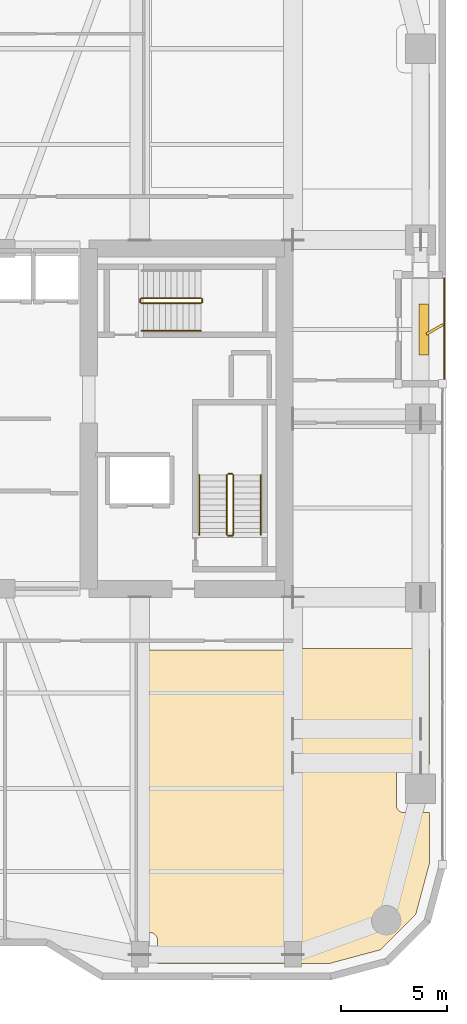
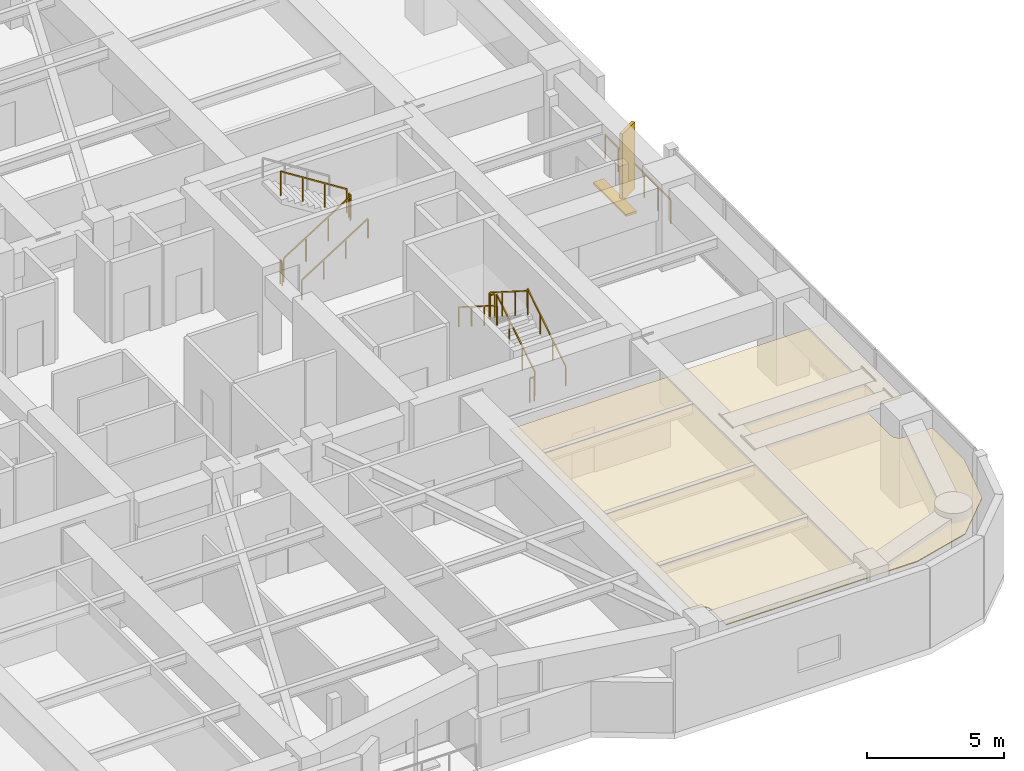
# One storey, part 24 of 25: 12 railings, 2 shading devices, 1 covering.
"""IFC4 building model written with IfcOpenShell, lengths in metres."""

from ifc_helpers import new_model, si_unit, direction, frame, origin, origin_2d, place, context, subcontext, project, spatial, polyline, rectangle, outline, extrude, material, layer, layer_set, type_object, element, save


model = new_model("IFC4")

# Units and contexts
model_context = context("Model", 3, precision=1e-05, world=origin(), true_north=direction((0.0, 1.0)))
body_context = subcontext(model_context, "Body", "Model", "MODEL_VIEW")
ifc_project = project(units=[si_unit("LENGTHUNIT", "METRE"), si_unit("AREAUNIT", "SQUARE_METRE"), si_unit("VOLUMEUNIT", "CUBIC_METRE"), si_unit("PLANEANGLEUNIT", "RADIAN"), si_unit("MASSUNIT", "GRAM", prefix="KILO")], contexts=[model_context])

# Site, building, storey
site_placement = place(None, origin())
site = spatial("IfcSite", under=ifc_project, at=site_placement, CompositionType="ELEMENT")
building_placement = place(site_placement, origin())
building = spatial("IfcBuilding", under=site, at=building_placement, Name="Kiyonajd Concourse Tower", CompositionType="ELEMENT")
storey_placement = place(building_placement, frame((0.0, 0.0, 141.60009765625)))
storey = spatial("IfcBuildingStorey", under=building, at=storey_placement, Name="L36", CompositionType="ELEMENT", Elevation=141.60009765625)

# Covering
ifc_material_1 = material(Name="Natural Oak Acoustic Timber Veneer", Category="wood")
ifc_layer = layer(ifc_material_1, 0.0400390625)
ifc_layer_set = layer_set([ifc_layer], Name="Natural Oak Acoustic Timber Veneer")
covering_type = type_object("IfcCoveringType", Name="CV-CLG-ACST", PredefinedType="CEILING", material=ifc_layer_set)
covering_placement = place(storey_placement, frame((0.0, 0.0, 3.419921875)))
element("IfcCovering", 1, at=covering_placement, inside=storey, type_object=covering_type, Name="L36-43 Room Acoustic Ceiling", PredefinedType="CEILING", context=body_context, shape_type="SweptSolid", body=[
    extrude(outline(polyline([(57.22998046875, 10.3701171875), (57.22998046875, 11.47998046875), (57.222900390625, 11.548095703125), (57.202880859375, 11.614013671875), (57.1708984375, 11.674072265625), (57.126953125, 11.72705078125), (57.073974609375, 11.77099609375), (57.013916015625, 11.802978515625), (56.9140625, 11.827880859375), (56.60009765625, 11.830078125), (56.60009765625, 25.1201171875), (63.60009765625, 25.1201171875), (63.72998046875, 25.139892578125), (63.79296875, 25.166015625), (63.847900390625, 25.199951171875), (70.030029296875, 25.199951171875), (70.030029296875, 19.72998046875), (68.820068359375, 19.72998046875), (68.751953125, 19.722900390625), (68.655029296875, 19.68896484375), (68.572998046875, 19.626953125), (68.510986328125, 19.544921875), (68.485107421875, 19.48193359375), (68.471923828125, 19.4140625), (68.469970703125, 17.820068359375), (68.485107421875, 17.718017578125), (68.510986328125, 17.655029296875), (68.549072265625, 17.597900390625), (68.597900390625, 17.549072265625), (68.655029296875, 17.510986328125), (68.718017578125, 17.485107421875), (68.785888671875, 17.471923828125), (70.030029296875, 17.469970703125), (70.030029296875, 15.10107421875), (69.385986328125, 12.697998046875), (67.701904296875, 11.013916015625), (65.299072265625, 10.3701171875), (57.22998046875, 10.3701171875)])), origin(), (0.0, 0.0, 1.0), 0.0400390625),
])

# Railings
ifc_material_2 = material(Name="Thermally Broken Anodised Aluminium", Category="aluminium")
railing_type_1 = type_object("IfcRailingType", Name="RL-GRD-LOG", PredefinedType="GUARDRAIL", material=ifc_material_2)
railing_1_placement = place(storey_placement, frame((70.719970703125, 37.800048828125, 0.0)))
element("IfcRailing", 2, at=railing_1_placement, inside=storey, type_object=railing_type_1, Name="L36 Engawa Loggia Perimeter Guard LOG-E", PredefinedType="GUARDRAIL", context=body_context, shape_type="SweptSolid", body=[
    extrude(rectangle(XDim=0.048095703125, YDim=0.048095703125, at=origin_2d()), frame((0.0, 0.0, 1.076171875), z_axis=(0.0, 1.0, 0.0), x_axis=(-1.0, 0.0, 0.0)), (0.0, 0.0, 1.0), 4.800048828125),
    extrude(rectangle(XDim=0.0419921875, YDim=0.0419921875, at=origin_2d()), origin(), (0.0, 0.0, 1.0), 1.052001953125),
    extrude(rectangle(XDim=0.0419921875, YDim=0.0419921875, at=origin_2d()), frame((0.0, 0.9599609375, 0.0)), (0.0, 0.0, 1.0), 1.052001953125),
    extrude(rectangle(XDim=0.0419921875, YDim=0.0419921875, at=origin_2d()), frame((0.0, 1.919921875, 0.0)), (0.0, 0.0, 1.0), 1.052001953125),
    extrude(rectangle(XDim=0.0419921875, YDim=0.0419921875, at=origin_2d()), frame((0.0, 2.880126953125, 0.0)), (0.0, 0.0, 1.0), 1.052001953125),
    extrude(rectangle(XDim=0.0419921875, YDim=0.0419921875, at=origin_2d()), frame((0.0, 3.840087890625, 0.0)), (0.0, 0.0, 1.0), 1.052001953125),
    extrude(rectangle(XDim=0.0419921875, YDim=0.0419921875, at=origin_2d()), frame((0.0, 4.800048828125, 0.0)), (0.0, 0.0, 1.0), 1.052001953125),
])
ifc_material_3 = material(Name="Steel ASTM A500 Grade C", Category="steel")
railing_type_2 = type_object("IfcRailingType", Name="RL-GRD-STR", PredefinedType="GUARDRAIL", material=ifc_material_3)
railing_2_placement = place(storey_placement, frame((60.800048828125, 30.550048828125, 0.17724609375)))
element("IfcRailing", 3, at=railing_2_placement, inside=storey, type_object=railing_type_2, Name="L36 ST2 stair guard 1", PredefinedType="GUARDRAIL", context=body_context, shape_type="SweptSolid", body=[
    extrude(rectangle(XDim=0.048095703125, YDim=0.048095703125, at=origin_2d()), frame((0.0, 0.0, 1.076171875), z_axis=(0.0, 0.844908973607, 0.534910110503), x_axis=(-1.0, 0.0, 0.0)), (0.0, 0.0, 1.0), 3.31396484375),
    extrude(rectangle(XDim=0.0419921875, YDim=0.0419921875, at=origin_2d()), origin(), (0.0, 0.0, 1.0), 1.052001953125),
    extrude(rectangle(XDim=0.0419921875, YDim=0.0419921875, at=origin_2d()), frame((0.0, 0.933349609375, 0.5908203125)), (0.0, 0.0, 1.0), 1.052001953125),
    extrude(rectangle(XDim=0.0419921875, YDim=0.0419921875, at=origin_2d()), frame((0.0, 1.86669921875, 1.181884765625)), (0.0, 0.0, 1.0), 1.052001953125),
    extrude(rectangle(XDim=0.0419921875, YDim=0.0419921875, at=origin_2d()), frame((0.0, 2.800048828125, 1.772705078125)), (0.0, 0.0, 1.0), 1.052001953125),
])
railing_3_placement = place(storey_placement, frame((60.75, 33.39990234375, 1.949951171875)))
element("IfcRailing", 4, at=railing_3_placement, inside=storey, type_object=railing_type_2, Name="L36 ST2 stair guard 2", PredefinedType="GUARDRAIL", context=body_context, shape_type="SweptSolid", body=[
    extrude(rectangle(XDim=0.048095703125, YDim=0.048095703125, at=origin_2d()), frame((0.0, 0.0, 1.076171875), z_axis=(-1.0, 0.0, 0.0), x_axis=(0.0, -1.0, 0.0)), (0.0, 0.0, 1.0), 0.199951171875),
    extrude(rectangle(XDim=0.0419921875, YDim=0.0419921875, at=origin_2d()), origin(), (0.0, 0.0, 1.0), 1.052001953125),
    extrude(rectangle(XDim=0.0419921875, YDim=0.0419921875, at=origin_2d()), frame((-0.199951171875, 0.0, 0.0)), (0.0, 0.0, 1.0), 1.052001953125),
])
railing_4_placement = place(storey_placement, frame((60.5, 33.35009765625, 2.127197265625)))
element("IfcRailing", 5, at=railing_4_placement, inside=storey, type_object=railing_type_2, Name="L36 ST2 stair guard 3", PredefinedType="GUARDRAIL", context=body_context, shape_type="SweptSolid", body=[
    extrude(rectangle(XDim=0.048095703125, YDim=0.048095703125, at=origin_2d()), frame((0.0, 0.0, 1.076171875), z_axis=(0.0, -0.844908973607, 0.534910110503), x_axis=(1.0, 0.0, 0.0)), (0.0, 0.0, 1.0), 3.31396484375),
    extrude(rectangle(XDim=0.0419921875, YDim=0.0419921875, at=origin_2d()), origin(), (0.0, 0.0, 1.0), 1.052001953125),
    extrude(rectangle(XDim=0.0419921875, YDim=0.0419921875, at=origin_2d()), frame((0.0, -0.933349609375, 0.5908203125)), (0.0, 0.0, 1.0), 1.052001953125),
    extrude(rectangle(XDim=0.0419921875, YDim=0.0419921875, at=origin_2d()), frame((0.0, -1.86669921875, 1.181884765625)), (0.0, 0.0, 1.0), 1.052001953125),
    extrude(rectangle(XDim=0.0419921875, YDim=0.0419921875, at=origin_2d()), frame((0.0, -2.800048828125, 1.772705078125)), (0.0, 0.0, 1.0), 1.052001953125),
])
railing_5_placement = place(storey_placement, frame((60.75, 30.5, 0.0)))
element("IfcRailing", 6, at=railing_5_placement, inside=storey, type_object=railing_type_2, Name="L36 ST2 stair guard 4", PredefinedType="GUARDRAIL", context=body_context, shape_type="SweptSolid", body=[
    extrude(rectangle(XDim=0.048095703125, YDim=0.048095703125, at=origin_2d()), frame((0.0, 0.0, 1.076171875), z_axis=(-1.0, 0.0, 0.0), x_axis=(0.0, -1.0, 0.0)), (0.0, 0.0, 1.0), 0.199951171875),
    extrude(rectangle(XDim=0.0419921875, YDim=0.0419921875, at=origin_2d()), origin(), (0.0, 0.0, 1.0), 1.052001953125),
    extrude(rectangle(XDim=0.0419921875, YDim=0.0419921875, at=origin_2d()), frame((-0.199951171875, 0.0, 0.0)), (0.0, 0.0, 1.0), 1.052001953125),
])
railing_6_placement = place(storey_placement, frame((56.47998046875, 41.429931640625, 0.17724609375)))
element("IfcRailing", 7, at=railing_6_placement, inside=storey, type_object=railing_type_2, Name="L36 ST3 stair guard 1", PredefinedType="GUARDRAIL", context=body_context, shape_type="SweptSolid", body=[
    extrude(rectangle(XDim=0.048095703125, YDim=0.048095703125, at=origin_2d()), frame((0.0, 0.0, 1.076171875), z_axis=(0.844908973607, 0.0, 0.534910110503), x_axis=(0.0, 1.0, 0.0)), (0.0, 0.0, 1.0), 3.31396484375),
    extrude(rectangle(XDim=0.0419921875, YDim=0.0419921875, at=origin_2d()), origin(), (0.0, 0.0, 1.0), 1.052001953125),
    extrude(rectangle(XDim=0.0419921875, YDim=0.0419921875, at=origin_2d()), frame((0.933349609375, 0.0, 0.5908203125)), (0.0, 0.0, 1.0), 1.052001953125),
    extrude(rectangle(XDim=0.0419921875, YDim=0.0419921875, at=origin_2d()), frame((1.86669921875, 0.0, 1.181884765625)), (0.0, 0.0, 1.0), 1.052001953125),
    extrude(rectangle(XDim=0.0419921875, YDim=0.0419921875, at=origin_2d()), frame((2.800048828125, 0.0, 1.772705078125)), (0.0, 0.0, 1.0), 1.052001953125),
])
railing_7_placement = place(storey_placement, frame((59.330078125, 41.47998046875, 1.949951171875)))
element("IfcRailing", 8, at=railing_7_placement, inside=storey, type_object=railing_type_2, Name="L36 ST3 stair guard 2", PredefinedType="GUARDRAIL", context=body_context, shape_type="SweptSolid", body=[
    extrude(rectangle(XDim=0.048095703125, YDim=0.048095703125, at=origin_2d()), frame((0.0, 0.0, 1.076171875), z_axis=(0.0, 1.0, 0.0), x_axis=(-1.0, 0.0, 0.0)), (0.0, 0.0, 1.0), 0.14013671875),
    extrude(rectangle(XDim=0.0419921875, YDim=0.0419921875, at=origin_2d()), origin(), (0.0, 0.0, 1.0), 1.052001953125),
    extrude(rectangle(XDim=0.0419921875, YDim=0.0419921875, at=origin_2d()), frame((0.0, 0.14013671875, 0.0)), (0.0, 0.0, 1.0), 1.052001953125),
])
railing_8_placement = place(storey_placement, frame((59.280029296875, 41.669921875, 2.127197265625)))
element("IfcRailing", 9, at=railing_8_placement, inside=storey, type_object=railing_type_2, Name="L36 ST3 stair guard 3", PredefinedType="GUARDRAIL", context=body_context, shape_type="SweptSolid", body=[
    extrude(rectangle(XDim=0.048095703125, YDim=0.048095703125, at=origin_2d()), frame((0.0, 0.0, 1.076171875), z_axis=(-0.844908973607, 0.0, 0.534910110503), x_axis=(0.0, -1.0, 0.0)), (0.0, 0.0, 1.0), 3.31396484375),
    extrude(rectangle(XDim=0.0419921875, YDim=0.0419921875, at=origin_2d()), origin(), (0.0, 0.0, 1.0), 1.052001953125),
    extrude(rectangle(XDim=0.0419921875, YDim=0.0419921875, at=origin_2d()), frame((-0.933349609375, 0.0, 0.5908203125)), (0.0, 0.0, 1.0), 1.052001953125),
    extrude(rectangle(XDim=0.0419921875, YDim=0.0419921875, at=origin_2d()), frame((-1.86669921875, 0.0, 1.181884765625)), (0.0, 0.0, 1.0), 1.052001953125),
    extrude(rectangle(XDim=0.0419921875, YDim=0.0419921875, at=origin_2d()), frame((-2.800048828125, 0.0, 1.772705078125)), (0.0, 0.0, 1.0), 1.052001953125),
])
railing_9_placement = place(storey_placement, frame((56.429931640625, 41.47998046875, 0.0)))
element("IfcRailing", 10, at=railing_9_placement, inside=storey, type_object=railing_type_2, Name="L36 ST3 stair guard 4", PredefinedType="GUARDRAIL", context=body_context, shape_type="SweptSolid", body=[
    extrude(rectangle(XDim=0.048095703125, YDim=0.048095703125, at=origin_2d()), frame((0.0, 0.0, 1.076171875), z_axis=(0.0, 1.0, 0.0), x_axis=(-1.0, 0.0, 0.0)), (0.0, 0.0, 1.0), 0.14013671875),
    extrude(rectangle(XDim=0.0419921875, YDim=0.0419921875, at=origin_2d()), origin(), (0.0, 0.0, 1.0), 1.052001953125),
    extrude(rectangle(XDim=0.0419921875, YDim=0.0419921875, at=origin_2d()), frame((0.0, 0.14013671875, 0.0)), (0.0, 0.0, 1.0), 1.052001953125),
])
ifc_material_4 = material(Name="Brushed Stainless Steel Cab Assembly", Category="steel")
railing_type_3 = type_object("IfcRailingType", Name="RL-HND-900", PredefinedType="HANDRAIL", material=ifc_material_4)
railing_10_placement = place(storey_placement, frame((62.10009765625, 30.550048828125, 0.17724609375)))
element("IfcRailing", 11, at=railing_10_placement, inside=storey, type_object=railing_type_3, Name="L36 ST2 stair handrail 1", PredefinedType="HANDRAIL", context=body_context, shape_type="SweptSolid", body=[
    extrude(rectangle(XDim=0.048095703125, YDim=0.048095703125, at=origin_2d()), frame((0.0, 0.0, 0.8759765625), z_axis=(0.0, 0.844908973607, 0.534910110503), x_axis=(-1.0, 0.0, 0.0)), (0.0, 0.0, 1.0), 3.31396484375),
    extrude(rectangle(XDim=0.0419921875, YDim=0.0419921875, at=origin_2d()), origin(), (0.0, 0.0, 1.0), 0.851806640625),
    extrude(rectangle(XDim=0.0419921875, YDim=0.0419921875, at=origin_2d()), frame((0.0, 0.933349609375, 0.5908203125)), (0.0, 0.0, 1.0), 0.851806640625),
    extrude(rectangle(XDim=0.0419921875, YDim=0.0419921875, at=origin_2d()), frame((0.0, 1.86669921875, 1.181884765625)), (0.0, 0.0, 1.0), 0.851806640625),
    extrude(rectangle(XDim=0.0419921875, YDim=0.0419921875, at=origin_2d()), frame((0.0, 2.800048828125, 1.772705078125)), (0.0, 0.0, 1.0), 0.851806640625),
])
railing_11_placement = place(storey_placement, frame((59.199951171875, 33.35009765625, 2.127197265625)))
element("IfcRailing", 12, at=railing_11_placement, inside=storey, type_object=railing_type_3, Name="L36 ST2 stair handrail 2", PredefinedType="HANDRAIL", context=body_context, shape_type="SweptSolid", body=[
    extrude(rectangle(XDim=0.048095703125, YDim=0.048095703125, at=origin_2d()), frame((0.0, 0.0, 0.8759765625), z_axis=(0.0, -0.844908973607, 0.534910110503), x_axis=(1.0, 0.0, 0.0)), (0.0, 0.0, 1.0), 3.31396484375),
    extrude(rectangle(XDim=0.0419921875, YDim=0.0419921875, at=origin_2d()), origin(), (0.0, 0.0, 1.0), 0.851806640625),
    extrude(rectangle(XDim=0.0419921875, YDim=0.0419921875, at=origin_2d()), frame((0.0, -0.933349609375, 0.5908203125)), (0.0, 0.0, 1.0), 0.851806640625),
    extrude(rectangle(XDim=0.0419921875, YDim=0.0419921875, at=origin_2d()), frame((0.0, -1.86669921875, 1.181884765625)), (0.0, 0.0, 1.0), 0.851806640625),
    extrude(rectangle(XDim=0.0419921875, YDim=0.0419921875, at=origin_2d()), frame((0.0, -2.800048828125, 1.772705078125)), (0.0, 0.0, 1.0), 0.851806640625),
])
railing_12_placement = place(storey_placement, frame((56.47998046875, 40.1298828125, 0.17724609375)))
element("IfcRailing", 13, at=railing_12_placement, inside=storey, type_object=railing_type_3, Name="L36 ST3 stair handrail 1", PredefinedType="HANDRAIL", context=body_context, shape_type="SweptSolid", body=[
    extrude(rectangle(XDim=0.048095703125, YDim=0.048095703125, at=origin_2d()), frame((0.0, 0.0, 0.8759765625), z_axis=(0.844908973607, 0.0, 0.534910110503), x_axis=(0.0, 1.0, 0.0)), (0.0, 0.0, 1.0), 3.31396484375),
    extrude(rectangle(XDim=0.0419921875, YDim=0.0419921875, at=origin_2d()), origin(), (0.0, 0.0, 1.0), 0.851806640625),
    extrude(rectangle(XDim=0.0419921875, YDim=0.0419921875, at=origin_2d()), frame((0.933349609375, 0.0, 0.5908203125)), (0.0, 0.0, 1.0), 0.851806640625),
    extrude(rectangle(XDim=0.0419921875, YDim=0.0419921875, at=origin_2d()), frame((1.86669921875, 0.0, 1.181884765625)), (0.0, 0.0, 1.0), 0.851806640625),
    extrude(rectangle(XDim=0.0419921875, YDim=0.0419921875, at=origin_2d()), frame((2.800048828125, 0.0, 1.772705078125)), (0.0, 0.0, 1.0), 0.851806640625),
])

# Shading devices
ifc_material_5 = material(Name="Precast concrete C50/60", Category="concrete")
shading_device_type_1 = type_object("IfcShadingDeviceType", Name="SH-FIN-900", PredefinedType="USERDEFINED", material=ifc_material_5)
shading_device_1_placement = place(storey_placement, frame((70.27001953125, 40.199951171875, 0.0), z_axis=(0.0, 0.0, 1.0), x_axis=(0.866025403784, 0.5, 0.0)))
element("IfcShadingDevice", 14, at=shading_device_1_placement, inside=storey, type_object=shading_device_type_1, Name="L36 Angled Koshi Solar Fin LOG-E", ObjectType="FIN", PredefinedType="USERDEFINED", context=body_context, shape_type="SweptSolid", body=[
    extrude(rectangle(XDim=0.89990234375, YDim=0.1201171875, at=origin_2d()), origin(), (0.0, 0.0, 1.0), 3.0),
])
shading_device_type_2 = type_object("IfcShadingDeviceType", Name="SH-LVR-600", PredefinedType="JALOUSIE", material=ifc_material_2)
shading_device_2_placement = place(storey_placement, frame((69.75, 40.199951171875, -0.000244140625), z_axis=(0.0, 0.0, 1.0), x_axis=(0.0, 1.0, 0.0)))
element("IfcShadingDevice", 15, at=shading_device_2_placement, inside=storey, type_object=shading_device_type_2, Name="L36 Loggia Threshold Louver LOG-E", PredefinedType="JALOUSIE", context=body_context, shape_type="SweptSolid", body=[
    extrude(rectangle(XDim=2.39990234375, YDim=0.449951171875, at=origin_2d()), origin(), (0.0, 0.0, 1.0), 0.10009765625),
])

save(model, "model.ifc")
